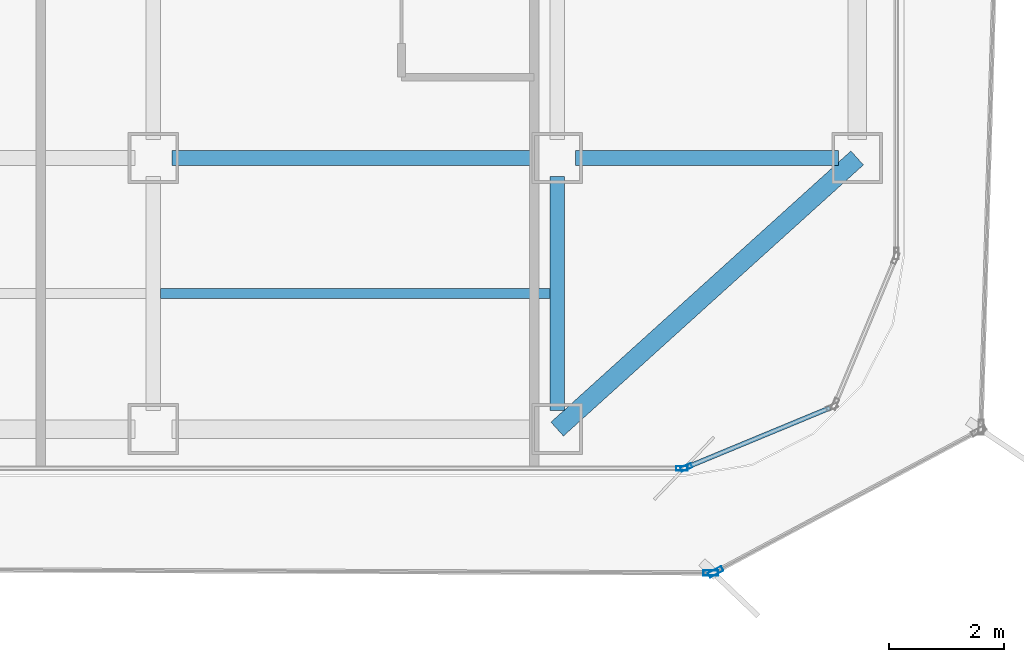
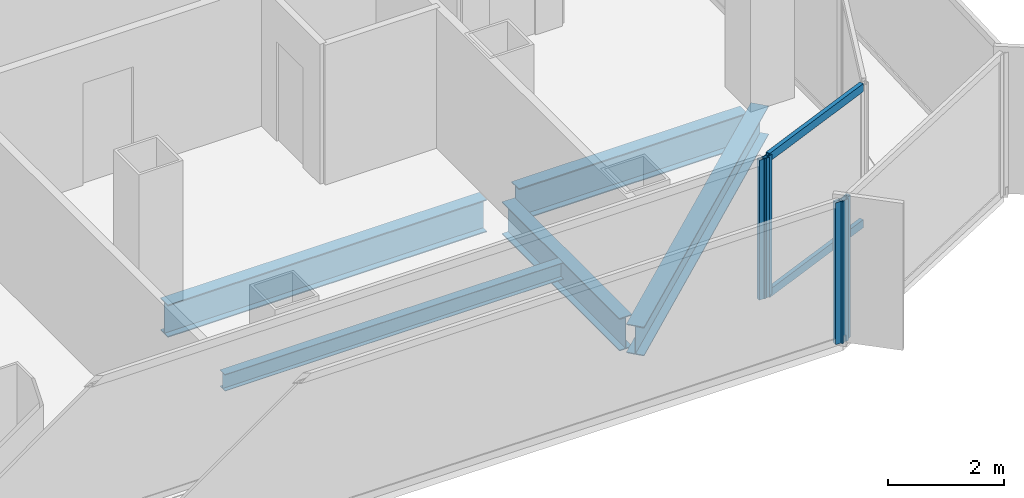
# One storey, part 6 of 21: 6 members, 5 beams, 4 elements without a shape of their own.
"""IFC4 building model written with IfcOpenShell, lengths in metres."""

from ifc_helpers import new_model, si_unit, direction, frame, origin, origin_2d, place, context, subcontext, project, spatial, hollow_rectangle, i_section, extrude, source, transform, mapped, material, layer, layer_set, material_profile, profile_set, type_object, element, aggregate, save


model = new_model("IFC4")

# Units and contexts
model_context = context("Model", 3, precision=1e-05, world=origin(), true_north=direction((0.0, 1.0)))
body_context = subcontext(model_context, "Body", "Model", "MODEL_VIEW")
ifc_project = project(units=[si_unit("LENGTHUNIT", "METRE"), si_unit("AREAUNIT", "SQUARE_METRE"), si_unit("VOLUMEUNIT", "CUBIC_METRE"), si_unit("PLANEANGLEUNIT", "RADIAN"), si_unit("MASSUNIT", "GRAM", prefix="KILO")], contexts=[model_context])

# Site, building, storey
site_placement = place(None, origin())
site = spatial("IfcSite", under=ifc_project, at=site_placement, CompositionType="ELEMENT")
building_placement = place(site_placement, origin())
building = spatial("IfcBuilding", under=site, at=building_placement, Name="Kolveth Station Tower", CompositionType="ELEMENT")
storey_placement = place(building_placement, frame((0.0, 0.0, 108.699951171875)))
storey = spatial("IfcBuildingStorey", under=building, at=storey_placement, Name="L29", CompositionType="ELEMENT", Elevation=108.699951171875)

# Beams
ifc_material_1 = material(Name="Steel S355", Category="steel")
ifc_material_profile_1 = material_profile(ifc_material_1, i_section(OverallWidth=0.323974609375, OverallDepth=0.611083984375, WebThickness=0.0126953125, FlangeThickness=0.01904296875, at=origin_2d()), Name="W610x155")
ifc_profile_set_1 = profile_set([ifc_material_profile_1], Name="Steel S355")
beam_type_1 = type_object("IfcBeamType", Name="Beam_SP2", PredefinedType="SPANDREL", material=ifc_profile_set_1)
shared_shape_1 = source(origin(), body_context, "Body", "SweptSolid", [
    extrude(i_section(OverallWidth=0.323974609375, OverallDepth=0.611083984375, WebThickness=0.0126953125, FlangeThickness=0.01904296875, at=origin_2d()), origin(), (0.0, 0.0, 1.0), 7.00927734375),
])
beam_1_placement = place(storey_placement, frame((41.0, 0.800048828125, -0.555419921875), z_axis=(0.741874009795, 0.670539300557, 0.0), x_axis=(-0.670539300557, 0.741874009795, 0.0)))
element("IfcBeam", 1, at=beam_1_placement, inside=storey, type_object=beam_type_1, Name="L29 Corner Edge Girder BM-L29-CNR-SE", PredefinedType="SPANDREL", context=body_context, shape_type="MappedRepresentation", body=[
    mapped(shared_shape_1, transform((0.0, 0.0, 0.0), x_axis=(1.0, 0.0, 0.0), y_axis=(0.0, 1.0, 0.0), z_axis=(0.0, 0.0, 1.0), scale=1.0)),
])
ifc_material_profile_2 = material_profile(ifc_material_1, i_section(OverallWidth=0.25390625, OverallDepth=0.68798828125, WebThickness=0.01318359375, FlangeThickness=0.02099609375, at=origin_2d()), Name="W690x152")
ifc_profile_set_2 = profile_set([ifc_material_profile_2], Name="Steel S355")
beam_type_2 = type_object("IfcBeamType", Name="Beam_B4", PredefinedType="BEAM", material=ifc_profile_set_2)
shared_shape_2 = source(origin(), body_context, "Body", "SweptSolid", [
    extrude(i_section(OverallWidth=0.25390625, OverallDepth=0.68798828125, WebThickness=0.01318359375, FlangeThickness=0.02099609375, at=origin_2d()), origin(), (0.0, 0.0, 1.0), 4.559814453125),
])
beam_2_placement = place(storey_placement, frame((41.320068359375, 5.5, -0.593994140625), z_axis=(1.0, 0.0, 0.0), x_axis=(0.0, 1.0, 0.0)))
element("IfcBeam", 2, at=beam_2_placement, inside=storey, type_object=beam_type_2, Name="L29 Primary Girder BM-L29-GY55-7", PredefinedType="BEAM", context=body_context, shape_type="MappedRepresentation", body=[
    mapped(shared_shape_2, transform((0.0, 0.0, 0.0), x_axis=(1.0, 0.0, 0.0), y_axis=(0.0, 1.0, 0.0), z_axis=(0.0, 0.0, 1.0), scale=1.0)),
])
shared_shape_3 = source(origin(), body_context, "Body", "SweptSolid", [
    extrude(i_section(OverallWidth=0.25390625, OverallDepth=0.68798828125, WebThickness=0.01318359375, FlangeThickness=0.02099609375, at=origin_2d()), origin(), (0.0, 0.0, 1.0), 6.35986328125),
])
beam_3_placement = place(storey_placement, frame((34.320068359375, 5.5, -0.593994140625), z_axis=(1.0, 0.0, 0.0), x_axis=(0.0, 1.0, 0.0)))
element("IfcBeam", 3, at=beam_3_placement, inside=storey, type_object=beam_type_2, Name="L29 Primary Girder BM-L29-GY55-6", PredefinedType="BEAM", context=body_context, shape_type="MappedRepresentation", body=[
    mapped(shared_shape_3, transform((0.0, 0.0, 0.0), x_axis=(1.0, 0.0, 0.0), y_axis=(0.0, 1.0, 0.0), z_axis=(0.0, 0.0, 1.0), scale=1.0)),
])
shared_shape_4 = source(origin(), body_context, "Body", "SweptSolid", [
    extrude(i_section(OverallWidth=0.25390625, OverallDepth=0.68798828125, WebThickness=0.01318359375, FlangeThickness=0.02099609375, at=origin_2d()), origin(), (0.0, 0.0, 1.0), 4.059814453125),
])
beam_4_placement = place(storey_placement, frame((41.0, 1.1201171875, -0.593994140625), z_axis=(0.0, 1.0, 0.0), x_axis=(-1.0, 0.0, 0.0)))
element("IfcBeam", 4, at=beam_4_placement, inside=storey, type_object=beam_type_2, Name="L29 Primary Girder BM-L29-GX410-1", PredefinedType="BEAM", context=body_context, shape_type="MappedRepresentation", body=[
    mapped(shared_shape_4, transform((0.0, 0.0, 0.0), x_axis=(1.0, 0.0, 0.0), y_axis=(0.0, 1.0, 0.0), z_axis=(0.0, 0.0, 1.0), scale=1.0)),
])
ifc_material_profile_3 = material_profile(ifc_material_1, i_section(OverallWidth=0.1708984375, OverallDepth=0.35205078125, WebThickness=0.0068359375, FlangeThickness=0.009765625, at=origin_2d()), Name="W360x44")
ifc_profile_set_3 = profile_set([ifc_material_profile_3], Name="Steel S355")
beam_type_3 = type_object("IfcBeamType", Name="Beam_J2", PredefinedType="JOIST", material=ifc_profile_set_3)
shared_shape_5 = source(origin(), body_context, "Body", "SweptSolid", [
    extrude(i_section(OverallWidth=0.1708984375, OverallDepth=0.35205078125, WebThickness=0.0068359375, FlangeThickness=0.009765625, at=origin_2d()), origin(), (0.0, 0.0, 1.0), 6.75),
])
beam_5_placement = place(storey_placement, frame((34.125, 3.14990234375, -0.426025390625), z_axis=(1.0, 0.0, 0.0), x_axis=(0.0, 1.0, 0.0)))
element("IfcBeam", 5, at=beam_5_placement, inside=storey, type_object=beam_type_3, Name="L29 Secondary Joist JST-L29-6-1", PredefinedType="JOIST", context=body_context, shape_type="MappedRepresentation", body=[
    mapped(shared_shape_5, transform((0.0, 0.0, 0.0), x_axis=(1.0, 0.0, 0.0), y_axis=(0.0, 1.0, 0.0), z_axis=(0.0, 0.0, 1.0), scale=1.0)),
])

# Curtain wall, member
ifc_material_2 = material(Name="Aluminium 6063-T6 and low-E dark glass", Category="aluminium")
ifc_layer_1 = layer(ifc_material_2, 0.18994140625)
ifc_layer_set_1 = layer_set([ifc_layer_1], Name="Aluminium 6063-T6 and low-E dark glass")
curtain_wall_type_1 = type_object("IfcCurtainWallType", Name="CurtainWall_CW-Z2", PredefinedType="NOTDEFINED", material=ifc_layer_set_1)
curtain_wall_1_placement = place(storey_placement, origin())
curtain_wall_1 = element("IfcCurtainWall", 6, at=curtain_wall_1_placement, inside=storey, type_object=curtain_wall_type_1, Name="L29 Inner Thermal Curtain Wall 1", PredefinedType="NOTDEFINED")
ifc_material_3 = material(Name="Black anodized aluminium 6063-T6", Category="aluminium")
ifc_material_profile_4 = material_profile(ifc_material_3, hollow_rectangle(XDim=0.080078125, YDim=0.199951171875, WallThickness=0.0048828125, at=origin_2d()), Name="ALU-80x200x5")
ifc_profile_set_4 = profile_set([ifc_material_profile_4], Name="Black anodized aluminium 6063-T6")
member_type_1 = type_object("IfcMemberType", Name="Mullion_ML2", PredefinedType="MULLION", material=ifc_profile_set_4)
shared_shape_6 = source(origin(), body_context, "Body", "SweptSolid", [
    extrude(hollow_rectangle(XDim=0.080078125, YDim=0.199951171875, WallThickness=0.0048828125, at=origin_2d()), origin(), (0.0, 0.0, 1.0), 2.949951171875),
])
member_1_placement = place(storey_placement, frame((43.237060546875, 0.13525390625, 0.0), z_axis=(0.0, 0.0, 1.0), x_axis=(-0.38266326998, 0.923887883787, 0.0)))
member_1 = element("IfcMember", 7, at=member_1_placement, type_object=member_type_1, Name="CW-Z2 mullion 1", PredefinedType="MULLION", context=body_context, shape_type="MappedRepresentation", body=[
    mapped(shared_shape_6, transform((0.0, 0.0, 0.0), x_axis=(1.0, 0.0, 0.0), y_axis=(0.0, 1.0, 0.0), z_axis=(0.0, 0.0, 1.0), scale=1.0)),
])

curtain_wall_2_placement = place(storey_placement, origin())
curtain_wall_2 = element("IfcCurtainWall", 8, at=curtain_wall_2_placement, inside=storey, type_object=curtain_wall_type_1, Name="L29 Inner Thermal Curtain Wall 12", PredefinedType="NOTDEFINED")
member_2_placement = place(storey_placement, frame((43.159912109375, 0.1201171875, 0.0), z_axis=(0.0, 0.0, 1.0), x_axis=(0.0, 1.0, 0.0)))
member_2 = element("IfcMember", 9, at=member_2_placement, type_object=member_type_1, Name="CW-Z2 mullion 3", PredefinedType="MULLION", context=body_context, shape_type="MappedRepresentation", body=[
    mapped(shared_shape_6, transform((0.0, 0.0, 0.0), x_axis=(1.0, 0.0, 0.0), y_axis=(0.0, 1.0, 0.0), z_axis=(0.0, 0.0, 1.0), scale=1.0)),
])
aggregate(curtain_wall_2, [member_2])

# Member
ifc_material_profile_5 = material_profile(ifc_material_3, hollow_rectangle(XDim=0.080078125, YDim=0.169921875, WallThickness=0.0048828125, at=origin_2d()), Name="ALU-80x170x5")
ifc_profile_set_5 = profile_set([ifc_material_profile_5], Name="Black anodized aluminium 6063-T6")
member_type_2 = type_object("IfcMemberType", Name="Transom_TR2", PredefinedType="USERDEFINED", material=ifc_profile_set_5)
shared_shape_7 = source(origin(), body_context, "Body", "SweptSolid", [
    extrude(hollow_rectangle(XDim=0.080078125, YDim=0.169921875, WallThickness=0.0048828125, at=origin_2d()), origin(), (0.0, 0.0, 1.0), 2.656494140625),
])
member_3_placement = place(storey_placement, frame((43.27392578125, 0.150634765625, 0.0400390625), z_axis=(0.923882422403, 0.382676455475, 0.0), x_axis=(-0.382676455475, 0.923882422403, 0.0)))
member_3 = element("IfcMember", 10, at=member_3_placement, type_object=member_type_2, Name="CW-Z2 transom 1.1", ObjectType="TRANSOM", PredefinedType="USERDEFINED", context=body_context, shape_type="MappedRepresentation", body=[
    mapped(shared_shape_7, transform((0.0, 0.0, 0.0), x_axis=(1.0, 0.0, 0.0), y_axis=(0.0, 1.0, 0.0), z_axis=(0.0, 0.0, 1.0), scale=1.0)),
])

member_4_placement = place(storey_placement, frame((43.27392578125, 0.150634765625, 2.91015625), z_axis=(0.923882422403, 0.382676455475, 0.0), x_axis=(-0.382676455475, 0.923882422403, 0.0)))
member_4 = element("IfcMember", 11, at=member_4_placement, type_object=member_type_2, Name="CW-Z2 transom 1.2", ObjectType="TRANSOM", PredefinedType="USERDEFINED", context=body_context, shape_type="MappedRepresentation", body=[
    mapped(shared_shape_7, transform((0.0, 0.0, 0.0), x_axis=(1.0, 0.0, 0.0), y_axis=(0.0, 1.0, 0.0), z_axis=(0.0, 0.0, 1.0), scale=1.0)),
])

aggregate(curtain_wall_1, [member_1, member_3, member_4])

# Curtain wall, member
ifc_material_4 = material(Name="Black anodized aluminium 6063-T6 and dark solar glass", Category="aluminium")
ifc_layer_2 = layer(ifc_material_4, 0.159912109375)
ifc_layer_set_2 = layer_set([ifc_layer_2], Name="Black anodized aluminium 6063-T6 and dark solar glass")
curtain_wall_type_2 = type_object("IfcCurtainWallType", Name="OUTER SKIN CW-OS", PredefinedType="NOTDEFINED", material=ifc_layer_set_2)
curtain_wall_3_placement = place(storey_placement, origin())
curtain_wall_3 = element("IfcCurtainWall", 12, at=curtain_wall_3_placement, inside=storey, type_object=curtain_wall_type_2, Name="L29 Outer Ventilated Skin Curtain Wall 1", PredefinedType="NOTDEFINED")
ifc_material_profile_6 = material_profile(ifc_material_3, hollow_rectangle(XDim=0.090087890625, YDim=0.260009765625, WallThickness=0.0048828125, at=origin_2d()), Name="ALU-90x260x5")
ifc_profile_set_6 = profile_set([ifc_material_profile_6], Name="Black anodized aluminium 6063-T6")
member_type_3 = type_object("IfcMemberType", Name="FIN MULLION ML-OS", PredefinedType="MULLION", material=ifc_profile_set_6)
shared_shape_8 = source(origin(), body_context, "Body", "SweptSolid", [
    extrude(hollow_rectangle(XDim=0.090087890625, YDim=0.260009765625, WallThickness=0.0048828125, at=origin_2d()), origin(), (0.0, 0.0, 1.0), 2.989990234375),
])
member_5_placement = place(storey_placement, frame((43.7470703125, -1.67431640625, 0.0), z_axis=(0.0, 0.0, 1.0), x_axis=(-0.472118622155, 0.881535028581, 0.0)))
member_5 = element("IfcMember", 13, at=member_5_placement, type_object=member_type_3, Name="CW-OS mullion 1", PredefinedType="MULLION", context=body_context, shape_type="MappedRepresentation", body=[
    mapped(shared_shape_8, transform((0.0, 0.0, 0.0), x_axis=(1.0, 0.0, 0.0), y_axis=(0.0, 1.0, 0.0), z_axis=(0.0, 0.0, 1.0), scale=1.0)),
])
aggregate(curtain_wall_3, [member_5])

curtain_wall_4_placement = place(storey_placement, origin())
curtain_wall_4 = element("IfcCurtainWall", 14, at=curtain_wall_4_placement, inside=storey, type_object=curtain_wall_type_2, Name="L29 Outer Ventilated Skin Curtain Wall 8", PredefinedType="NOTDEFINED")
member_6_placement = place(storey_placement, frame((43.662353515625, -1.6953125, 0.0), z_axis=(0.0, 0.0, 1.0), x_axis=(0.004105923193, 0.999991570662, 0.0)))
member_6 = element("IfcMember", 15, at=member_6_placement, type_object=member_type_3, Name="CW-OS mullion 2", PredefinedType="MULLION", context=body_context, shape_type="MappedRepresentation", body=[
    mapped(shared_shape_8, transform((0.0, 0.0, 0.0), x_axis=(1.0, 0.0, 0.0), y_axis=(0.0, 1.0, 0.0), z_axis=(0.0, 0.0, 1.0), scale=1.0)),
])
aggregate(curtain_wall_4, [member_6])

save(model, "model.ifc")
